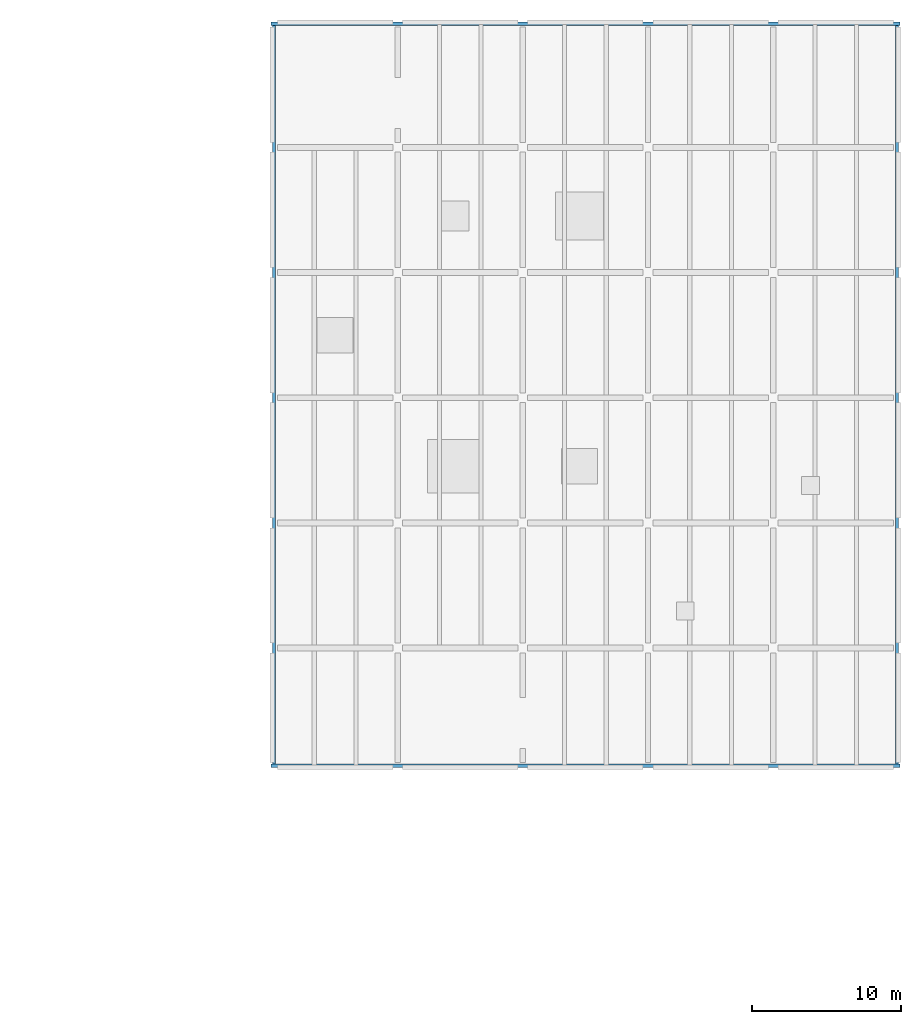
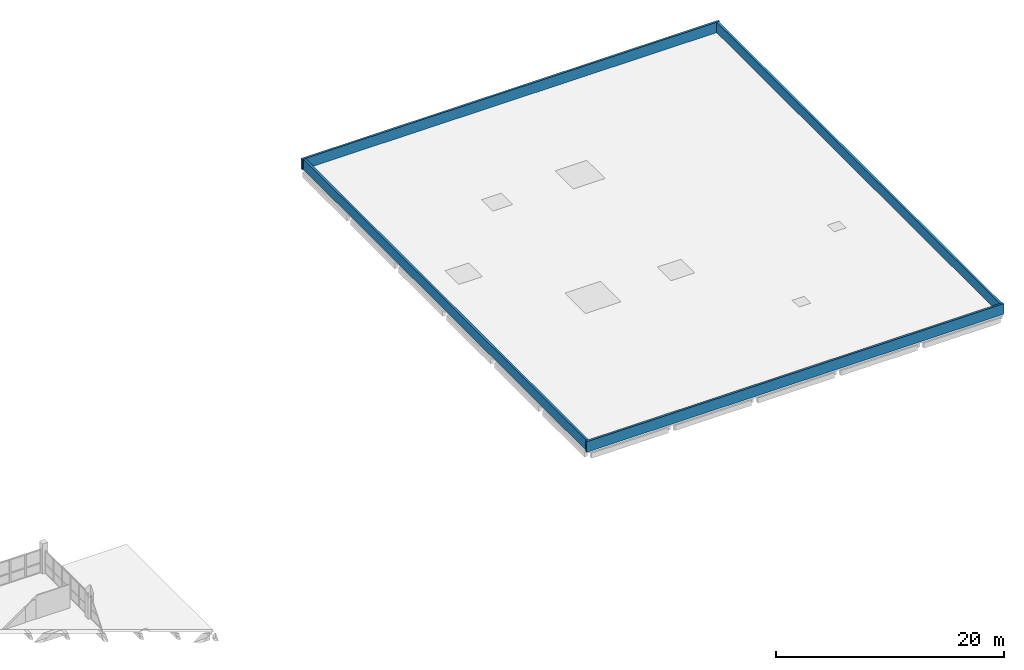
# One storey, part 23 of 24: 4 walls.
"""IFC4 building model written with IfcOpenShell, lengths in metres."""

from ifc_helpers import new_model, si_unit, direction, frame, frame_2d, origin, place, context, subcontext, project, spatial, rectangle, extrude, material, layer, layer_set, type_object, element, save


model = new_model("IFC4")

# Units and contexts
model_context = context("Model", 3, precision=1e-05, world=origin(), true_north=direction((0.0, 1.0)))
body_context = subcontext(model_context, "Body", "Model", "MODEL_VIEW")
ifc_project = project(units=[si_unit("LENGTHUNIT", "METRE"), si_unit("AREAUNIT", "SQUARE_METRE"), si_unit("VOLUMEUNIT", "CUBIC_METRE"), si_unit("PLANEANGLEUNIT", "RADIAN"), si_unit("MASSUNIT", "GRAM", prefix="KILO"), si_unit("THERMODYNAMICTEMPERATUREUNIT", "KELVIN"), si_unit("POWERUNIT", "WATT")], contexts=[model_context])

# Site, building, storey
site_placement = place(None, origin())
site = spatial("IfcSite", under=ifc_project, at=site_placement, CompositionType="ELEMENT")
building_placement = place(site_placement, origin())
building = spatial("IfcBuilding", under=site, at=building_placement, Name="Mavoryth Pier Ferry Terminal", CompositionType="ELEMENT")
storey_placement = place(building_placement, frame((0.0, 0.0, 16.320068359375)))
storey = spatial("IfcBuildingStorey", under=building, at=storey_placement, Name="L04", CompositionType="ELEMENT", Elevation=16.320068359375)

# Walls
ifc_material = material(Name="Concrete C35/45", Category="concrete")
ifc_layer = layer(ifc_material, 0.2099609375, Name="Concrete C35/45", Category="concrete")
ifc_layer_set = layer_set([ifc_layer], Name="Concrete C35/45 - Parapet-Roof-RC210")
wall_type = type_object("IfcWallType", Name="Parapet-Roof-RC210", PredefinedType="PARAPET", material=ifc_layer_set)
wall_1_placement = place(storey_placement, frame((125.89501953125, 14.10009765625, 0.0), z_axis=(0.0, 0.0, 1.0), x_axis=(1.0, 0.0, 0.0)))
element("IfcWall", 1, at=wall_1_placement, inside=storey, type_object=wall_type, Name="Exterior Wall EW-L04-178", PredefinedType="PARAPET", context=body_context, shape_type="SweptSolid", body=[
    extrude(rectangle(XDim=42.2099609375, YDim=0.2099609375, at=frame_2d((21.10498046875, 0.0))), origin(), (0.0, 0.0, 1.0), 1.119873046875),
])
wall_2_placement = place(storey_placement, frame((167.89990234375, 14.10498046875, 0.0), z_axis=(0.0, 0.0, 1.0), x_axis=(0.0, 1.0, 0.0)))
element("IfcWall", 2, at=wall_2_placement, inside=storey, type_object=wall_type, Name="Exterior Wall EW-L04-179", PredefinedType="PARAPET", context=body_context, shape_type="SweptSolid", body=[
    extrude(rectangle(XDim=49.7900390625, YDim=0.2099609375, at=frame_2d((24.89501953125, 0.0))), origin(), (0.0, 0.0, 1.0), 1.119873046875),
])
wall_3_placement = place(storey_placement, frame((168.10498046875, 63.89990234375, 0.0), z_axis=(0.0, 0.0, 1.0), x_axis=(-1.0, 0.0, 0.0)))
element("IfcWall", 3, at=wall_3_placement, inside=storey, type_object=wall_type, Name="Exterior Wall EW-L04-180", PredefinedType="PARAPET", context=body_context, shape_type="SweptSolid", body=[
    extrude(rectangle(XDim=42.2099609375, YDim=0.2099609375, at=frame_2d((21.10498046875, 0.0))), origin(), (0.0, 0.0, 1.0), 1.119873046875),
])
wall_4_placement = place(storey_placement, frame((126.10009765625, 63.89501953125, 0.0), z_axis=(0.0, 0.0, 1.0), x_axis=(0.0, -1.0, 0.0)))
element("IfcWall", 4, at=wall_4_placement, inside=storey, type_object=wall_type, Name="Exterior Wall EW-L04-181", PredefinedType="PARAPET", context=body_context, shape_type="SweptSolid", body=[
    extrude(rectangle(XDim=49.7900390625, YDim=0.2099609375, at=frame_2d((24.89501953125, 0.0))), origin(), (0.0, 0.0, 1.0), 1.119873046875),
])

save(model, "model.ifc")
